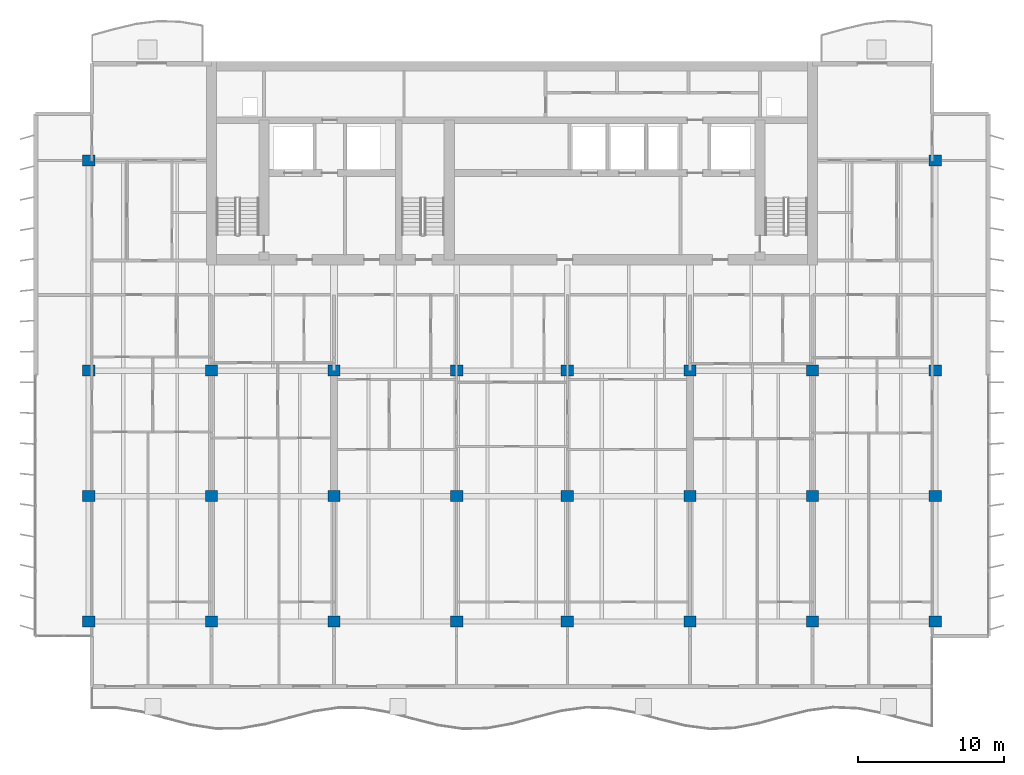
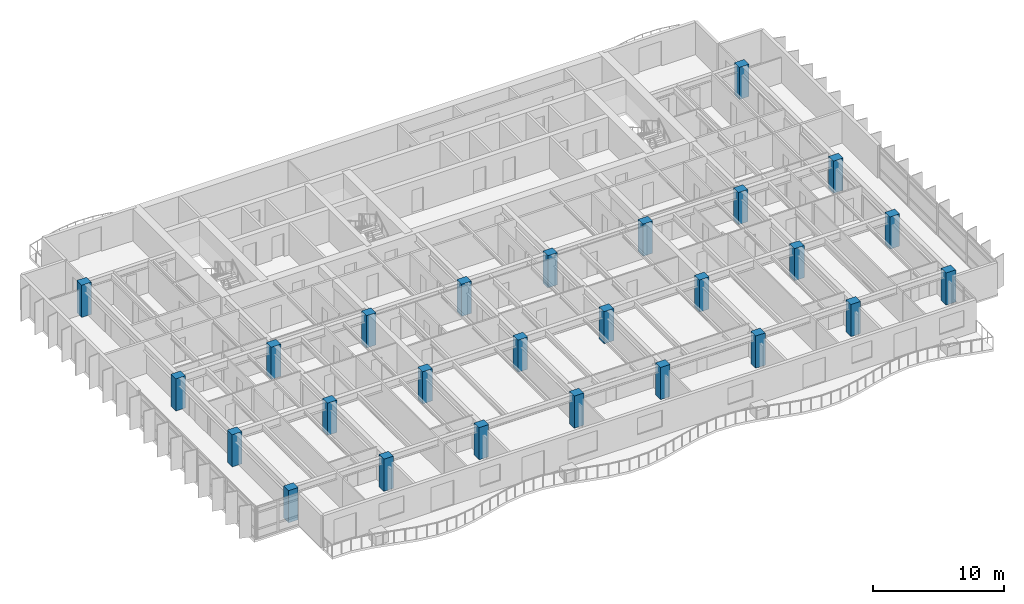
# One storey, part 1 of 18: 26 columns.
"""IFC4 building model written with IfcOpenShell, lengths in metres."""

import ifcopenshell
import ifcopenshell.guid

model = None  # the IFC model being written
_history = None  # IfcOwnerHistory: only IFC2X3 demands one
_inside = {}  # id of a spatial element -> (the spatial element, [elements in it])
_under = {}  # id of a project, library or spatial element -> (it, [spatial elements below it])
_declared = {}  # id of a project -> (the project, [libraries it declares])
_typed = {}  # id of a type object -> (the type object, [elements of that type])
_made_of = {}  # id of a material, layer set ... -> (it, [elements and type objects made of it])


def new_model(schema):
    """Start an empty IFC model of exactly this schema.

    Asked for "IFC4X3", IfcOpenShell would pick the latest addendum, in which some entities
    have other attributes; the version numbers below select the first issue.
    IFC2X3 requires an IfcOwnerHistory on every rooted entity: one is made here for all.
    """
    global model, _history
    if schema == "IFC4X3":
        model = ifcopenshell.file(schema_version=(4, 3, 0, 0))
    else:
        model = ifcopenshell.file(schema=schema)
    _inside.clear()
    _under.clear()
    _declared.clear()
    _typed.clear()
    _made_of.clear()
    _history = None
    if model.schema == "IFC2X3":
        org = make("IfcOrganization", Name="unknown")
        user = make(
            "IfcPersonAndOrganization",
            ThePerson=make("IfcPerson", FamilyName="unknown"),
            TheOrganization=org,
        )
        app = make(
            "IfcApplication",
            ApplicationDeveloper=org,
            Version="unknown",
            ApplicationFullName="unknown",
            ApplicationIdentifier="unknown",
        )
        _history = make(
            "IfcOwnerHistory",
            OwningUser=user,
            OwningApplication=app,
            ChangeAction="ADDED",
            CreationDate=0,
        )
    return model


def make(cls, **values):
    """One entity of the class cls with the attributes given. An attribute that is None is left unset."""
    return model.create_entity(
        cls, **{name: value for name, value in values.items() if value is not None}
    )


def rooted(cls, **values):
    """An entity with a GlobalId (a new one), such as an element, a storey or a relation."""
    return make(cls, GlobalId=ifcopenshell.guid.new(), OwnerHistory=_history, **values)


def si_unit(unit_type, name, prefix=None):
    """IfcSIUnit, for example si_unit("LENGTHUNIT", "METRE", prefix="MILLI")."""
    return make("IfcSIUnit", UnitType=unit_type, Prefix=prefix, Name=name)


def assignment(units):
    """IfcUnitAssignment: the units of a project."""
    return None if units is None else make("IfcUnitAssignment", Units=units)


def point(xyz):
    """IfcCartesianPoint."""
    return None if xyz is None else make("IfcCartesianPoint", Coordinates=xyz)


def direction(xyz):
    """IfcDirection."""
    return None if xyz is None else make("IfcDirection", DirectionRatios=xyz)


def frame(location, z_axis=None, x_axis=None):
    """IfcAxis2Placement3D, a coordinate frame: its origin and axes. An axis left out is left unset."""
    return make(
        "IfcAxis2Placement3D",
        Location=point(location),
        Axis=direction(z_axis),
        RefDirection=direction(x_axis),
    )


def frame_2d(location, x_axis=None):
    """IfcAxis2Placement2D, a coordinate frame in the plane: its origin and x axis."""
    return make(
        "IfcAxis2Placement2D", Location=point(location), RefDirection=direction(x_axis)
    )


def origin():
    """The frame at (0, 0, 0) with its axes left unset."""
    return frame((0.0, 0.0, 0.0))


def origin_2d():
    """The frame at (0, 0) in the plane with its x axis left unset."""
    return frame_2d((0.0, 0.0))


def place(relative_to, where):
    """IfcLocalPlacement: puts the frame where relative to a parent placement (None: the world)."""
    return make(
        "IfcLocalPlacement", PlacementRelTo=relative_to, RelativePlacement=where
    )


def context(
    kind, dimensions, precision=None, world=None, true_north=None, identifier=None
):
    """IfcGeometricRepresentationContext, for example the 3D "Model" context."""
    return make(
        "IfcGeometricRepresentationContext",
        ContextIdentifier=identifier,
        ContextType=kind,
        CoordinateSpaceDimension=dimensions,
        Precision=precision,
        WorldCoordinateSystem=world,
        TrueNorth=true_north,
    )


def subcontext(parent, identifier, kind, view, scale=None):
    """IfcGeometricRepresentationSubContext, for example "Body" below "Model"."""
    return make(
        "IfcGeometricRepresentationSubContext",
        ContextIdentifier=identifier,
        ContextType=kind,
        ParentContext=parent,
        TargetScale=scale,
        TargetView=view,
    )


def project(units=None, contexts=None):
    """IfcProject with its units and contexts."""
    return rooted(
        "IfcProject",
        Name="project",
        RepresentationContexts=contexts,
        UnitsInContext=assignment(units),
    )


def spatial(cls, under=None, at=None, **own):
    """A site, building, storey or space (cls), placed at a placement, below another one or the project."""
    s = rooted(cls, ObjectPlacement=at, **own)
    if under is not None:
        _under.setdefault(under.id(), (under, []))[1].append(s)
    return s


def profile(cls, at=None, kind="AREA", **sizes):
    """A parametric profile (cls). Its sizes go by their IFC names, for example OverallWidth=200.0."""
    return make(cls, ProfileType=kind, Position=at, **sizes)


def rectangle(**sizes):
    """IfcRectangleProfileDef."""
    return profile("IfcRectangleProfileDef", **sizes)


def extrude(swept, where, along, depth):
    """IfcExtrudedAreaSolid: the profile swept, set in the frame where, extruded along a direction by depth."""
    return make(
        "IfcExtrudedAreaSolid",
        SweptArea=swept,
        Position=where,
        ExtrudedDirection=direction(along),
        Depth=depth,
    )


def shape(context_of_items, identifier, shape_type, items):
    """IfcShapeRepresentation: the items that make up one representation, for example the "Body"."""
    return make(
        "IfcShapeRepresentation",
        ContextOfItems=context_of_items,
        RepresentationIdentifier=identifier,
        RepresentationType=shape_type,
        Items=items,
    )


def material(Name=None, Category=None):
    """IfcMaterial."""
    return make("IfcMaterial", Name=Name, Category=Category)


def material_profile(
    of_material, cross_section, Name=None, Category=None, Priority=None
):
    """IfcMaterialProfile: a cross section and its material."""
    return make(
        "IfcMaterialProfile",
        Name=Name,
        Material=of_material,
        Profile=cross_section,
        Priority=Priority,
        Category=Category,
    )


def profile_set(profiles, Name=None, composite=None):
    """IfcMaterialProfileSet."""
    return make(
        "IfcMaterialProfileSet",
        Name=Name,
        MaterialProfiles=profiles,
        CompositeProfile=composite,
    )


def made_of(thing, what):
    """Note that an element or type object is made of a material, layer set ...; save() writes the relation."""
    if what is not None:
        _made_of.setdefault(what.id(), (what, []))[1].append(thing)
    return thing


def type_object(cls, material=None, **own):
    """A type object (cls), such as IfcWallType, which elements share."""
    return made_of(rooted(cls, **own), material)


def element(
    cls,
    number,
    at=None,
    inside=None,
    cuts=None,
    type_object=None,
    material=None,
    context=None,
    identifier="Body",
    shape_type=None,
    held_by="IfcProductDefinitionShape",
    body=None,
    shapes=None,
    **own,
):
    """One element of the class cls, such as IfcWall. Its Tag is "e" and its number.

    at: its placement. inside: the storey or other place that contains it. cuts: it is an
    opening in that element (IfcRelVoidsElement). A single representation is given by context,
    identifier, shape_type and body (its items); several are given by shapes. held_by: the class
    of the entity that holds the representations. save() writes the other relations.
    """
    e = rooted(cls, Tag="e%d" % number, ObjectPlacement=at, **own)
    if body is not None:
        shapes = [shape(context, identifier, shape_type, body)]
    if shapes is not None:
        e.Representation = make(held_by, Representations=shapes)
    if inside is not None:
        _inside.setdefault(inside.id(), (inside, []))[1].append(e)
    if cuts is not None:
        rooted(
            "IfcRelVoidsElement", RelatingBuildingElement=cuts, RelatedOpeningElement=e
        )
    if type_object is not None:
        _typed.setdefault(type_object.id(), (type_object, []))[1].append(e)
    return made_of(e, material)


def aggregate(whole, parts):
    """IfcRelAggregates: a whole, such as a stair, and the parts it consists of."""
    return rooted("IfcRelAggregates", RelatingObject=whole, RelatedObjects=parts)


def save(model, path):
    """Write the relations noted so far, then the file.

    IfcRelAggregates (storeys below a building ...), IfcRelContainedInSpatialStructure (elements
    in a storey), IfcRelDefinesByType, IfcRelAssociatesMaterial and IfcRelDeclares: one each for
    every whole, place, type object, material and project.
    """
    for whole, parts in _under.values():
        aggregate(whole, parts)
    for where, things in _inside.values():
        rooted(
            "IfcRelContainedInSpatialStructure",
            RelatedElements=things,
            RelatingStructure=where,
        )
    for kind, things in _typed.values():
        rooted("IfcRelDefinesByType", RelatedObjects=things, RelatingType=kind)
    for what, things in _made_of.values():
        rooted("IfcRelAssociatesMaterial", RelatedObjects=things, RelatingMaterial=what)
    for by, libraries in _declared.values():
        rooted("IfcRelDeclares", RelatingContext=by, RelatedDefinitions=libraries)
    model.write(path)


model = new_model("IFC4")

# Units and contexts
model_context = context("Model", 3, precision=1e-05, world=origin(), true_north=direction((0.0, 1.0)))
body_context = subcontext(model_context, "Body", "Model", "MODEL_VIEW")
ifc_project = project(units=[si_unit("LENGTHUNIT", "METRE"), si_unit("AREAUNIT", "SQUARE_METRE"), si_unit("VOLUMEUNIT", "CUBIC_METRE"), si_unit("PLANEANGLEUNIT", "RADIAN"), si_unit("MASSUNIT", "GRAM", prefix="KILO")], contexts=[model_context])

# Site, building, storey
site_placement = place(None, origin())
site = spatial("IfcSite", under=ifc_project, at=site_placement, CompositionType="ELEMENT")
building_placement = place(site_placement, origin())
building = spatial("IfcBuilding", under=site, at=building_placement, Name="Caelmar Bay Residences", CompositionType="ELEMENT")
storey_placement = place(building_placement, frame((0.0, 0.0, 180.300048828125)))
storey = spatial("IfcBuildingStorey", under=building, at=storey_placement, Name="L50", CompositionType="ELEMENT", Elevation=180.300048828125)

# Columns
ifc_material = material(Name="Concrete f'c 55 MPa (8,000 psi)", Category="concrete")
ifc_material_profile = material_profile(ifc_material, rectangle(XDim=0.85009765625, YDim=0.75, at=origin_2d()), Name="RC-COL-850X750")
ifc_profile_set = profile_set([ifc_material_profile], Name="Concrete f'c 55 MPa (8,000 psi)")
column_type = type_object("IfcColumnType", Name="COL-RC-850X750", PredefinedType="COLUMN", material=ifc_profile_set)
for number, where, z_axis, x_axis, name in (
    (1, (9.89990234375, 12.199951171875, 0.0), (0.0, 0.0, 1.0), (1.0, 0.0, 0.0), "L50 Column (9.90,12.20)"),
    (2, (18.300048828125, 12.199951171875, 0.0), (0.0, 0.0, 1.0), (1.0, 0.0, 0.0), "L50 Column (18.30,12.20)"),
    (3, (26.699951171875, 12.199951171875, 0.0), (0.0, 0.0, 1.0), (1.0, 0.0, 0.0), "L50 Column (26.70,12.20)"),
    (4, (35.10009765625, 12.199951171875, 0.0), (0.0, 0.0, 1.0), (1.0, 0.0, 0.0), "L50 Column (35.10,12.20)"),
    (5, (42.699951171875, 12.199951171875, 0.0), (0.0, 0.0, 1.0), (1.0, 0.0, 0.0), "L50 Column (42.70,12.20)"),
    (6, (51.10009765625, 12.199951171875, 0.0), (0.0, 0.0, 1.0), (1.0, 0.0, 0.0), "L50 Column (51.10,12.20)"),
    (7, (59.5, 12.199951171875, 0.0), (0.0, 0.0, 1.0), (1.0, 0.0, 0.0), "L50 Column (59.50,12.20)"),
    (8, (67.89990234375, 12.199951171875, 0.0), (0.0, 0.0, 1.0), (1.0, 0.0, 0.0), "L50 Column (67.90,12.20)"),
    (9, (9.89990234375, 20.800048828125, 0.0), (0.0, 0.0, 1.0), (1.0, 0.0, 0.0), "L50 Column (9.90,20.80)"),
    (10, (18.300048828125, 20.800048828125, 0.0), (0.0, 0.0, 1.0), (1.0, 0.0, 0.0), "L50 Column (18.30,20.80)"),
    (11, (26.699951171875, 20.800048828125, 0.0), (0.0, 0.0, 1.0), (1.0, 0.0, 0.0), "L50 Column (26.70,20.80)"),
    (12, (35.10009765625, 20.800048828125, 0.0), (0.0, 0.0, 1.0), (1.0, 0.0, 0.0), "L50 Column (35.10,20.80)"),
    (13, (42.699951171875, 20.800048828125, 0.0), (0.0, 0.0, 1.0), (1.0, 0.0, 0.0), "L50 Column (42.70,20.80)"),
    (14, (51.10009765625, 20.800048828125, 0.0), (0.0, 0.0, 1.0), (1.0, 0.0, 0.0), "L50 Column (51.10,20.80)"),
    (15, (59.5, 20.800048828125, 0.0), (0.0, 0.0, 1.0), (1.0, 0.0, 0.0), "L50 Column (59.50,20.80)"),
    (16, (67.89990234375, 20.800048828125, 0.0), (0.0, 0.0, 1.0), (1.0, 0.0, 0.0), "L50 Column (67.90,20.80)"),
    (17, (9.89990234375, 29.39990234375, 0.0), (0.0, 0.0, 1.0), (1.0, 0.0, 0.0), "L50 Column (9.90,29.40)"),
    (18, (18.300048828125, 29.39990234375, 0.0), (0.0, 0.0, 1.0), (1.0, 0.0, 0.0), "L50 Column (18.30,29.40)"),
    (19, (26.699951171875, 29.39990234375, 0.0), (0.0, 0.0, 1.0), (1.0, 0.0, 0.0), "L50 Column (26.70,29.40)"),
    (20, (35.10009765625, 29.39990234375, 0.0), (0.0, 0.0, 1.0), (1.0, 0.0, 0.0), "L50 Column (35.10,29.40)"),
    (21, (42.699951171875, 29.39990234375, 0.0), (0.0, 0.0, 1.0), (1.0, 0.0, 0.0), "L50 Column (42.70,29.40)"),
    (22, (51.10009765625, 29.39990234375, 0.0), (0.0, 0.0, 1.0), (1.0, 0.0, 0.0), "L50 Column (51.10,29.40)"),
    (23, (59.5, 29.39990234375, 0.0), (0.0, 0.0, 1.0), (1.0, 0.0, 0.0), "L50 Column (59.50,29.40)"),
    (24, (67.89990234375, 29.39990234375, 0.0), (0.0, 0.0, 1.0), (1.0, 0.0, 0.0), "L50 Column (67.90,29.40)"),
    (25, (9.89990234375, 43.800048828125, 0.0), (0.0, 0.0, 1.0), (1.0, 0.0, 0.0), "L50 Column (9.90,43.80)"),
    (26, (67.89990234375, 43.800048828125, 0.0), (0.0, 0.0, 1.0), (1.0, 0.0, 0.0), "L50 Column (67.90,43.80)"),
):
    element("IfcColumn", number, at=place(storey_placement, frame(where, z_axis=z_axis, x_axis=x_axis)), inside=storey, type_object=column_type, Name=name, PredefinedType="COLUMN", context=body_context, shape_type="SweptSolid", body=[
        extrude(rectangle(XDim=0.85009765625, YDim=0.75, at=origin_2d()), origin(), (0.0, 0.0, 1.0), 3.0),
    ])

save(model, "model.ifc")
